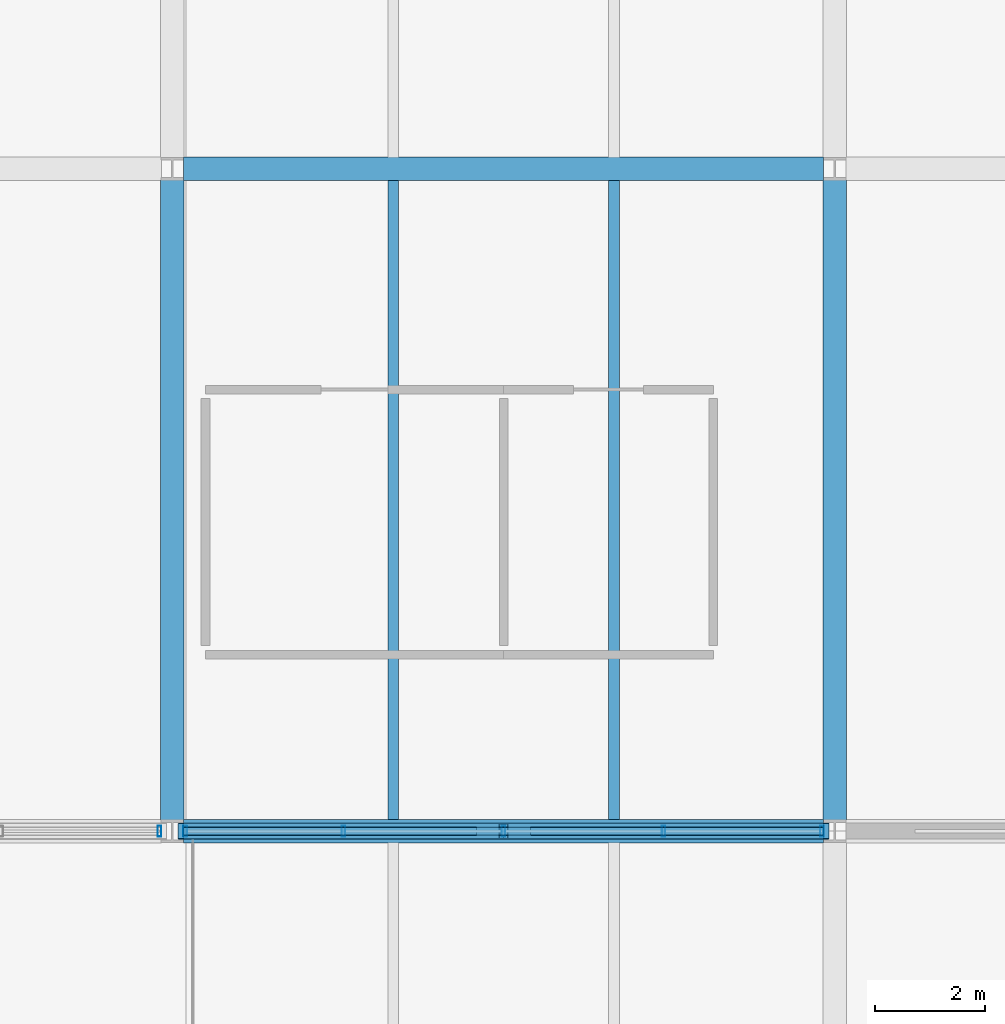
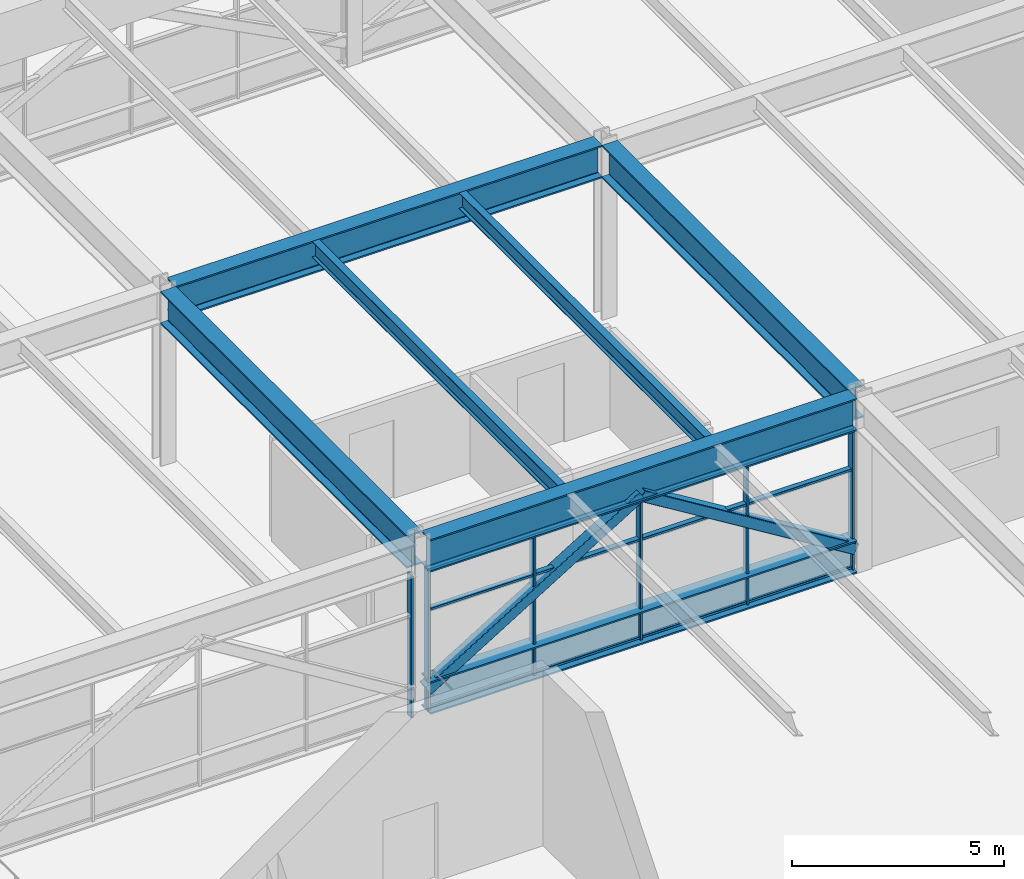
# One storey, part 20 of 42: 12 members, 6 beams, 2 elements without a shape of their own.
"""IFC4 building model written with IfcOpenShell, lengths in metres."""

from ifc_helpers import new_model, si_unit, direction, frame, origin, origin_2d, place, context, subcontext, project, spatial, hollow_rectangle, i_section, extrude, material, material_profile, profile_set, type_object, element, aggregate, save


model = new_model("IFC4")

# Units and contexts
model_context = context("Model", 3, precision=1e-05, world=origin(), true_north=direction((0.0, 1.0)))
body_context = subcontext(model_context, "Body", "Model", "MODEL_VIEW")
ifc_project = project(units=[si_unit("LENGTHUNIT", "METRE"), si_unit("AREAUNIT", "SQUARE_METRE"), si_unit("VOLUMEUNIT", "CUBIC_METRE"), si_unit("PLANEANGLEUNIT", "RADIAN"), si_unit("MASSUNIT", "GRAM", prefix="KILO")], contexts=[model_context])

# Site, building, storey
site_placement = place(None, origin())
site = spatial("IfcSite", under=ifc_project, at=site_placement, CompositionType="ELEMENT")
building_placement = place(site_placement, origin())
building = spatial("IfcBuilding", under=site, at=building_placement, Name="Girod Span Mobility Hub", CompositionType="ELEMENT")
storey_placement = place(building_placement, frame((0.0, 0.0, 32.39990234375)))
storey = spatial("IfcBuildingStorey", under=building, at=storey_placement, Name="L08", CompositionType="ELEMENT", Elevation=32.39990234375)

# Beams
ifc_material_1 = material(Name="Steel A992 Grade 50", Category="steel")
ifc_material_profile_1 = material_profile(ifc_material_1, i_section(OverallWidth=0.19189453125, OverallDepth=0.462890625, WebThickness=0.010498046875, FlangeThickness=0.017578125, FilletRadius=0.013916015625, at=origin_2d()), Name="W18X60")
ifc_profile_set_1 = profile_set([ifc_material_profile_1], Name="Steel A992 Grade 50")
beam_type_1 = type_object("IfcBeamType", Name="BM-STL-W18X60", PredefinedType="BEAM", material=ifc_profile_set_1)
for number, where, z_axis, x_axis, name in (
    (1, (88.0, 45.20849609375, 4.80859375), (0.0, 1.0, 0.0), (-1.0, 0.0, 0.0), "Composite Floorbeam 8/D-1 L08"),
    (2, (92.0, 45.20849609375, 4.80859375), (0.0, 1.0, 0.0), (-1.0, 0.0, 0.0), "Composite Floorbeam 8/D-2 L08"),
):
    element("IfcBeam", number, at=place(storey_placement, frame(where, z_axis=z_axis, x_axis=x_axis)), inside=storey, type_object=beam_type_1, Name=name, PredefinedType="BEAM", context=body_context, shape_type="SweptSolid", body=[
        extrude(i_section(OverallWidth=0.19189453125, OverallDepth=0.462890625, WebThickness=0.010498046875, FlangeThickness=0.017578125, FilletRadius=0.013916015625, at=origin_2d()), origin(), (0.0, 0.0, 1.0), 11.5830078125),
    ])
ifc_material_2 = material(Name="Steel A992 Grade 50", Category="steel")
ifc_material_profile_2 = material_profile(ifc_material_2, i_section(OverallWidth=0.423095703125, OverallDepth=0.93994140625, WebThickness=0.02392578125, FlangeThickness=0.042724609375, FilletRadius=0.02392578125, at=origin_2d()), Name="W36X302")
ifc_profile_set_2 = profile_set([ifc_material_profile_2], Name="Steel A992 Grade 50")
beam_type_2 = type_object("IfcBeamType", Name="BM-STL-W36X302", PredefinedType="BEAM", material=ifc_profile_set_2)
for number, where, z_axis, x_axis, name in (
    (3, (84.199951171875, 45.0, 4.570068359375), (1.0, 0.0, 0.0), (0.0, 1.0, 0.0), "Girder 8-9/D L08"),
    (4, (84.199951171875, 57.0, 4.570068359375), (1.0, 0.0, 0.0), (0.0, 1.0, 0.0), "Girder 8-9/E L08"),
):
    element("IfcBeam", number, at=place(storey_placement, frame(where, z_axis=z_axis, x_axis=x_axis)), inside=storey, type_object=beam_type_2, Name=name, PredefinedType="BEAM", context=body_context, shape_type="SweptSolid", body=[
        extrude(i_section(OverallWidth=0.423095703125, OverallDepth=0.93994140625, WebThickness=0.02392578125, FlangeThickness=0.042724609375, FilletRadius=0.02392578125, at=origin_2d()), origin(), (0.0, 0.0, 1.0), 11.60009765625),
    ])
for number, where, z_axis, x_axis, name in (
    (5, (84.0, 45.205078125, 4.570068359375), (0.0, 1.0, 0.0), (-1.0, 0.0, 0.0), "Tie Girder 8/D-E L08"),
    (6, (96.0, 45.205078125, 4.570068359375), (0.0, 1.0, 0.0), (-1.0, 0.0, 0.0), "Tie Girder 9/D-E L08"),
):
    element("IfcBeam", number, at=place(storey_placement, frame(where, z_axis=z_axis, x_axis=x_axis)), inside=storey, type_object=beam_type_2, Name=name, PredefinedType="BEAM", context=body_context, shape_type="SweptSolid", body=[
        extrude(i_section(OverallWidth=0.423095703125, OverallDepth=0.93994140625, WebThickness=0.02392578125, FlangeThickness=0.042724609375, FilletRadius=0.02392578125, at=origin_2d()), origin(), (0.0, 0.0, 1.0), 11.58984375),
    ])

# Curtain wall, member
ifc_material_3 = material(Name="Thermally Broken Anodised Aluminium", Category="aluminium")
curtain_wall_type = type_object("IfcCurtainWallType", Name="CW-1160X410", PredefinedType="USERDEFINED", material=ifc_material_3)
curtain_wall_1_placement = place(storey_placement, origin())
curtain_wall_1 = element("IfcCurtainWall", 7, at=curtain_wall_1_placement, inside=storey, type_object=curtain_wall_type, Name="Unitised Curtain Wall CW-L08-S07 L08", ObjectType="UNITISED CURTAIN WALL", PredefinedType="USERDEFINED")
ifc_material_4 = material(Name="Thermally Broken Anodised Aluminium", Category="aluminium")
ifc_material_profile_3 = material_profile(ifc_material_4, hollow_rectangle(XDim=0.199951171875, YDim=0.06494140625, WallThickness=0.00390625, InnerFilletRadius=0.00390625, OuterFilletRadius=0.008056640625, at=origin_2d()), Name="CW-ML-65X200")
ifc_profile_set_3 = profile_set([ifc_material_profile_3], Name="Thermally Broken Anodised Aluminium")
member_type_1 = type_object("IfcMemberType", Name="CWM-ML-1", PredefinedType="MULLION", material=ifc_profile_set_3)
member_1_placement = place(storey_placement, frame((83.76708984375, 45.0, 0.0), z_axis=(0.0, 0.0, 1.0), x_axis=(0.0, 1.0, 0.0)))
member_1 = element("IfcMember", 8, at=member_1_placement, type_object=member_type_1, Name="Curtain Wall Mullion CW-L08-S07-M4", PredefinedType="MULLION", context=body_context, shape_type="SweptSolid", body=[
    extrude(hollow_rectangle(XDim=0.199951171875, YDim=0.06494140625, WallThickness=0.00390625, InnerFilletRadius=0.00390625, OuterFilletRadius=0.008056640625, at=origin_2d()), origin(), (0.0, 0.0, 1.0), 4.10009765625),
])
aggregate(curtain_wall_1, [member_1])

# Curtain wall, members
curtain_wall_2_placement = place(storey_placement, origin())
curtain_wall_2 = element("IfcCurtainWall", 9, at=curtain_wall_2_placement, inside=storey, type_object=curtain_wall_type, Name="Unitised Curtain Wall CW-L08-S08 L08", ObjectType="UNITISED CURTAIN WALL", PredefinedType="USERDEFINED")
member_2_placement = place(storey_placement, frame((84.23291015625, 45.0, 0.0), z_axis=(0.0, 0.0, 1.0), x_axis=(0.0, 1.0, 0.0)))
member_2 = element("IfcMember", 10, at=member_2_placement, type_object=member_type_1, Name="Curtain Wall Mullion CW-L08-S08-M0", PredefinedType="MULLION", context=body_context, shape_type="SweptSolid", body=[
    extrude(hollow_rectangle(XDim=0.199951171875, YDim=0.06494140625, WallThickness=0.00390625, InnerFilletRadius=0.00390625, OuterFilletRadius=0.008056640625, at=origin_2d()), origin(), (0.0, 0.0, 1.0), 4.10009765625),
])
member_3_placement = place(storey_placement, frame((87.1005859375, 45.0, 0.0), z_axis=(0.0, 0.0, 1.0), x_axis=(0.0, 1.0, 0.0)))
member_3 = element("IfcMember", 11, at=member_3_placement, type_object=member_type_1, Name="Curtain Wall Mullion CW-L08-S08-M1", PredefinedType="MULLION", context=body_context, shape_type="SweptSolid", body=[
    extrude(hollow_rectangle(XDim=0.199951171875, YDim=0.06494140625, WallThickness=0.00390625, InnerFilletRadius=0.00390625, OuterFilletRadius=0.008056640625, at=origin_2d()), origin(), (0.0, 0.0, 1.0), 4.10009765625),
])
member_4_placement = place(storey_placement, frame((90.0, 45.0, 0.0), z_axis=(0.0, 0.0, 1.0), x_axis=(0.0, 1.0, 0.0)))
member_4 = element("IfcMember", 12, at=member_4_placement, type_object=member_type_1, Name="Curtain Wall Mullion CW-L08-S08-M2", PredefinedType="MULLION", context=body_context, shape_type="SweptSolid", body=[
    extrude(hollow_rectangle(XDim=0.199951171875, YDim=0.06494140625, WallThickness=0.00390625, InnerFilletRadius=0.00390625, OuterFilletRadius=0.008056640625, at=origin_2d()), origin(), (0.0, 0.0, 1.0), 4.10009765625),
])
member_5_placement = place(storey_placement, frame((92.8994140625, 45.0, 0.0), z_axis=(0.0, 0.0, 1.0), x_axis=(0.0, 1.0, 0.0)))
member_5 = element("IfcMember", 13, at=member_5_placement, type_object=member_type_1, Name="Curtain Wall Mullion CW-L08-S08-M3", PredefinedType="MULLION", context=body_context, shape_type="SweptSolid", body=[
    extrude(hollow_rectangle(XDim=0.199951171875, YDim=0.06494140625, WallThickness=0.00390625, InnerFilletRadius=0.00390625, OuterFilletRadius=0.008056640625, at=origin_2d()), origin(), (0.0, 0.0, 1.0), 4.10009765625),
])
member_6_placement = place(storey_placement, frame((95.76708984375, 45.0, 0.0), z_axis=(0.0, 0.0, 1.0), x_axis=(0.0, 1.0, 0.0)))
member_6 = element("IfcMember", 14, at=member_6_placement, type_object=member_type_1, Name="Curtain Wall Mullion CW-L08-S08-M4", PredefinedType="MULLION", context=body_context, shape_type="SweptSolid", body=[
    extrude(hollow_rectangle(XDim=0.199951171875, YDim=0.06494140625, WallThickness=0.00390625, InnerFilletRadius=0.00390625, OuterFilletRadius=0.008056640625, at=origin_2d()), origin(), (0.0, 0.0, 1.0), 4.10009765625),
])
ifc_material_5 = material(Name="Thermally Broken Anodised Aluminium", Category="aluminium")
ifc_material_profile_4 = material_profile(ifc_material_5, hollow_rectangle(XDim=0.14990234375, YDim=0.06494140625, WallThickness=0.00390625, InnerFilletRadius=0.00390625, OuterFilletRadius=0.008056640625, at=origin_2d()), Name="CW-TR-65X150")
ifc_profile_set_4 = profile_set([ifc_material_profile_4], Name="Thermally Broken Anodised Aluminium")
member_type_2 = type_object("IfcMemberType", Name="CWM-TR-1", PredefinedType="USERDEFINED", material=ifc_profile_set_4)
member_7_placement = place(storey_placement, frame((84.200927734375, 45.0, 0.107666015625), z_axis=(1.0, 0.0, 0.0), x_axis=(0.0, 1.0, 0.0)))
member_7 = element("IfcMember", 15, at=member_7_placement, type_object=member_type_2, Name="Curtain Wall Transom CW-L08-S08-T1", ObjectType="TRANSOM", PredefinedType="USERDEFINED", context=body_context, shape_type="SweptSolid", body=[
    extrude(hollow_rectangle(XDim=0.14990234375, YDim=0.06494140625, WallThickness=0.00390625, InnerFilletRadius=0.00390625, OuterFilletRadius=0.008056640625, at=origin_2d()), origin(), (0.0, 0.0, 1.0), 11.59814453125),
])
member_8_placement = place(storey_placement, frame((84.200927734375, 45.0, 2.919677734375), z_axis=(1.0, 0.0, 0.0), x_axis=(0.0, 1.0, 0.0)))
member_8 = element("IfcMember", 16, at=member_8_placement, type_object=member_type_2, Name="Curtain Wall Transom CW-L08-S08-T2", ObjectType="TRANSOM", PredefinedType="USERDEFINED", context=body_context, shape_type="SweptSolid", body=[
    extrude(hollow_rectangle(XDim=0.14990234375, YDim=0.06494140625, WallThickness=0.00390625, InnerFilletRadius=0.00390625, OuterFilletRadius=0.008056640625, at=origin_2d()), origin(), (0.0, 0.0, 1.0), 11.59814453125),
])
member_9_placement = place(storey_placement, frame((84.200927734375, 45.0, 4.067626953125), z_axis=(1.0, 0.0, 0.0), x_axis=(0.0, 1.0, 0.0)))
member_9 = element("IfcMember", 17, at=member_9_placement, type_object=member_type_2, Name="Curtain Wall Transom CW-L08-S08-T3", ObjectType="TRANSOM", PredefinedType="USERDEFINED", context=body_context, shape_type="SweptSolid", body=[
    extrude(hollow_rectangle(XDim=0.14990234375, YDim=0.06494140625, WallThickness=0.00390625, InnerFilletRadius=0.00390625, OuterFilletRadius=0.008056640625, at=origin_2d()), origin(), (0.0, 0.0, 1.0), 11.59814453125),
])
aggregate(curtain_wall_2, [member_2, member_3, member_4, member_5, member_6, member_7, member_8, member_9])

# Members
ifc_material_6 = material(Name="Steel HSS A500 Grade C", Category="steel")
ifc_material_profile_5 = material_profile(ifc_material_6, hollow_rectangle(XDim=0.304931640625, YDim=0.304931640625, WallThickness=0.014892578125, InnerFilletRadius=0.014892578125, OuterFilletRadius=0.029541015625, at=origin_2d()), Name="HSS305X305X16")
ifc_profile_set_5 = profile_set([ifc_material_profile_5], Name="Steel HSS A500 Grade C")
member_type_3 = type_object("IfcMemberType", Name="MB-BR-HSS305", PredefinedType="BRACE", material=ifc_profile_set_5)
for number, where, z_axis, x_axis, name in (
    (18, (84.18310546875, 45.0, 0.650146484375), (0.852282861165, 0.0, 0.523081183531), (0.0, 1.0, 0.0), "Warren Transfer Truss Web Diagonal Y=45 8-L"),
    (19, (95.81689453125, 45.0, 0.650146484375), (-0.852282861165, 0.0, 0.523081183531), (0.0, -1.0, 0.0), "Warren Transfer Truss Web Diagonal Y=45 8-R"),
):
    element("IfcMember", number, at=place(storey_placement, frame(where, z_axis=z_axis, x_axis=x_axis)), inside=storey, type_object=member_type_3, Name=name, PredefinedType="BRACE", context=body_context, shape_type="SweptSolid", body=[
        extrude(hollow_rectangle(XDim=0.304931640625, YDim=0.304931640625, WallThickness=0.014892578125, InnerFilletRadius=0.014892578125, OuterFilletRadius=0.029541015625, at=origin_2d()), origin(), (0.0, 0.0, 1.0), 6.8251953125),
    ])
ifc_material_7 = material(Name="Steel A992 Grade 50", Category="steel")
ifc_material_profile_6 = material_profile(ifc_material_7, i_section(OverallWidth=0.423095703125, OverallDepth=0.93994140625, WebThickness=0.02392578125, FlangeThickness=0.042724609375, FilletRadius=0.02392578125, at=origin_2d()), Name="W36X302")
ifc_profile_set_6 = profile_set([ifc_material_profile_6], Name="Steel A992 Grade 50")
member_type_4 = type_object("IfcMemberType", Name="MB-CH-W36X302", PredefinedType="CHORD", material=ifc_profile_set_6)
member_10_placement = place(storey_placement, frame((84.199951171875, 45.0, 0.47998046875), z_axis=(1.0, 0.0, 0.0), x_axis=(0.0, 1.0, 0.0)))
element("IfcMember", 20, at=member_10_placement, inside=storey, type_object=member_type_4, Name="Warren Transfer Truss Bottom Chord Y=45 Bay 8", PredefinedType="CHORD", context=body_context, shape_type="SweptSolid", body=[
    extrude(i_section(OverallWidth=0.423095703125, OverallDepth=0.93994140625, WebThickness=0.02392578125, FlangeThickness=0.042724609375, FilletRadius=0.02392578125, at=origin_2d()), origin(), (0.0, 0.0, 1.0), 11.60009765625),
])

save(model, "model.ifc")
